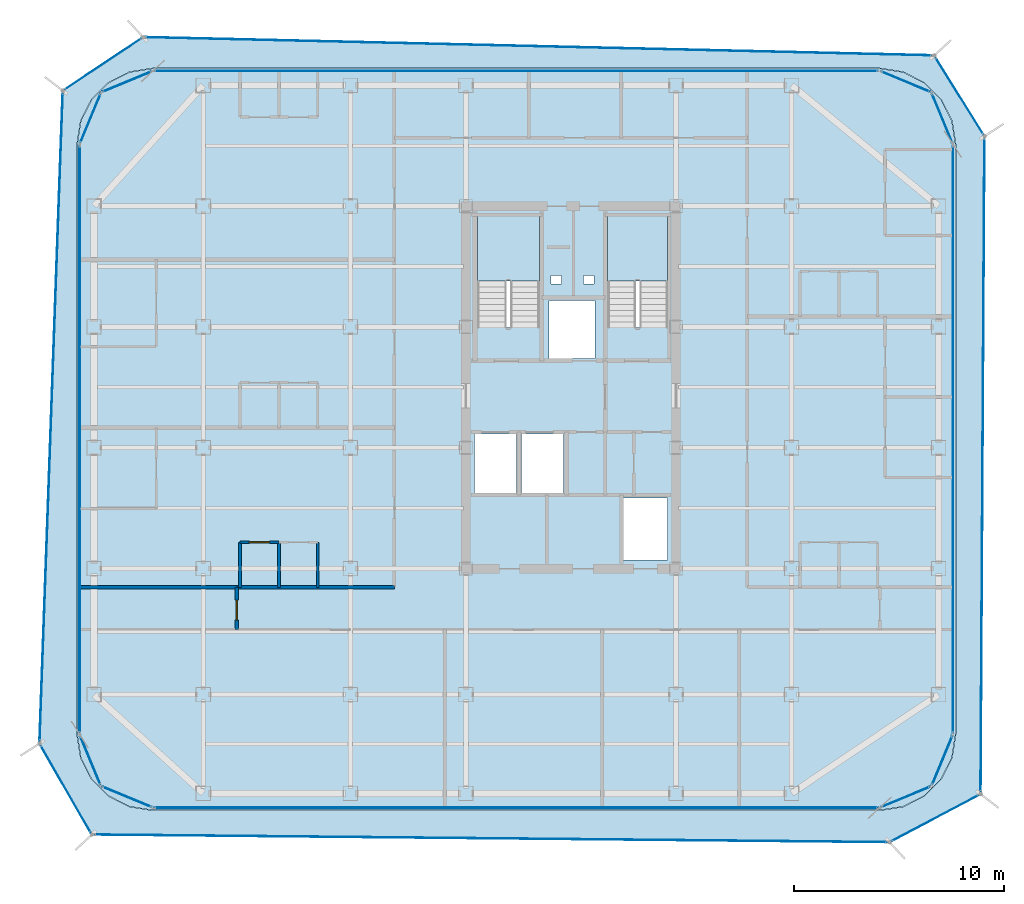
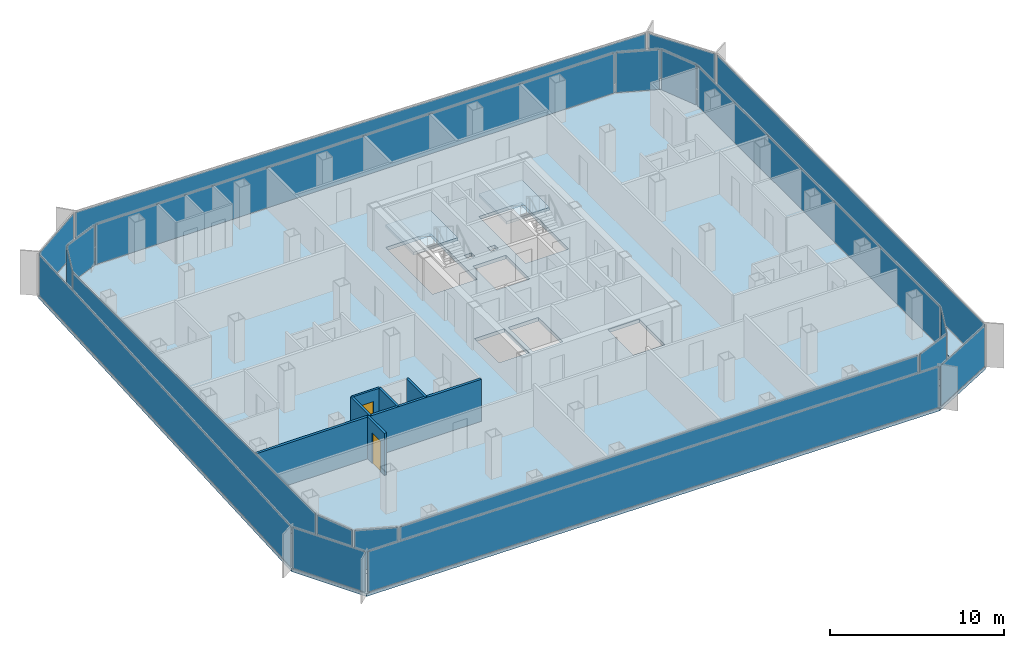
# One storey, part 9 of 15: 20 plates, 7 walls, 4 slabs, 2 doors, 2 openings, 22 elements without a shape of their own.
"""IFC4 building model written with IfcOpenShell, lengths in metres."""

from ifc_helpers import new_model, si_unit, direction, frame, frame_2d, origin, origin_2d, place, context, subcontext, project, spatial, polyline, rectangle, outline, extrude, source, transform, mapped, material, layer, layer_set, type_object, element, fill, aggregate, save


model = new_model("IFC4")

# Units and contexts
model_context = context("Model", 3, precision=1e-05, world=origin(), true_north=direction((0.0, 1.0)))
body_context = subcontext(model_context, "Body", "Model", "MODEL_VIEW")
ifc_project = project(units=[si_unit("LENGTHUNIT", "METRE"), si_unit("AREAUNIT", "SQUARE_METRE"), si_unit("VOLUMEUNIT", "CUBIC_METRE"), si_unit("PLANEANGLEUNIT", "RADIAN"), si_unit("MASSUNIT", "GRAM", prefix="KILO")], contexts=[model_context])

# Site, building, storey
site_placement = place(None, origin())
site = spatial("IfcSite", under=ifc_project, at=site_placement, CompositionType="ELEMENT")
building_placement = place(site_placement, origin())
building = spatial("IfcBuilding", under=site, at=building_placement, Name="Kolveth Station Tower", CompositionType="ELEMENT")
storey_placement = place(building_placement, frame((0.0, 0.0, 196.39990234375)))
storey = spatial("IfcBuildingStorey", under=building, at=storey_placement, Name="L55", CompositionType="ELEMENT", Elevation=196.39990234375)

# Slab
ifc_material_1 = material(Name="Concrete C40/50", Category="concrete")
ifc_layer_1 = layer(ifc_material_1, 0.25)
ifc_layer_set_1 = layer_set([ifc_layer_1], Name="Concrete C40/50")
slab_type_1 = type_object("IfcSlabType", Name="Slab_SF-250", PredefinedType="FLOOR", material=ifc_layer_set_1)
slab_1_placement = place(storey_placement, frame((0.0, 0.0, -0.25)))
element("IfcSlab", 1, at=slab_1_placement, inside=storey, type_object=slab_type_1, Name="L55 Tower Structural Floor Slab", PredefinedType="FLOOR", context=body_context, shape_type="SweptSolid", body=[
    extrude(outline(polyline([(38.199951171875, 0.0), (39.3125, 0.17626953125), (40.31591796875, 0.6875), (41.112548828125, 1.48388671875), (41.623779296875, 2.487548828125), (41.800048828125, 3.60009765625), (41.800048828125, 31.699951171875), (41.623779296875, 32.8125), (41.112548828125, 33.81591796875), (40.31591796875, 34.612548828125), (39.3125, 35.123779296875), (38.199951171875, 35.300048828125), (3.60009765625, 35.300048828125), (2.487548828125, 35.123779296875), (1.48388671875, 34.612548828125), (0.6875, 33.81591796875), (0.17626953125, 32.8125), (0.0, 31.699951171875), (0.0, 3.60009765625), (0.17626953125, 2.487548828125), (0.6875, 1.48388671875), (1.48388671875, 0.6875), (2.487548828125, 0.17626953125), (3.60009765625, 0.0), (38.199951171875, 0.0)]), holes=[polyline([(19.0400390625, 22.985107421875), (22.0, 22.985107421875), (22.0, 28.39990234375), (19.0400390625, 28.39990234375), (19.0400390625, 22.985107421875)]), polyline([(25.239990234375, 22.985107421875), (28.10009765625, 22.985107421875), (28.10009765625, 28.39990234375), (25.239990234375, 28.39990234375), (25.239990234375, 22.985107421875)]), polyline([(18.89990234375, 15.10009765625), (20.89990234375, 15.10009765625), (20.89990234375, 17.89990234375), (18.89990234375, 17.89990234375), (18.89990234375, 15.10009765625)]), polyline([(21.14990234375, 15.10009765625), (23.14990234375, 15.10009765625), (23.14990234375, 17.89990234375), (21.14990234375, 17.89990234375), (21.14990234375, 15.10009765625)]), polyline([(22.449951171875, 21.5), (24.64990234375, 21.5), (24.64990234375, 24.25), (22.449951171875, 24.25), (22.449951171875, 21.5)]), polyline([(26.0, 11.89990234375), (28.10009765625, 11.89990234375), (28.10009765625, 14.85009765625), (26.0, 14.85009765625), (26.0, 11.89990234375)]), polyline([(22.550048828125, 25.050048828125), (23.050048828125, 25.050048828125), (23.050048828125, 25.449951171875), (22.550048828125, 25.449951171875), (22.550048828125, 25.050048828125)]), polyline([(24.10009765625, 25.050048828125), (24.60009765625, 25.050048828125), (24.60009765625, 25.449951171875), (24.10009765625, 25.449951171875), (24.10009765625, 25.050048828125)])]), origin(), (0.0, 0.0, 1.0), 0.25),
])

# Stair, slab
stair_type_1 = type_object("IfcStairType", Name="Stair_ST2", PredefinedType="HALF_TURN_STAIR", material=ifc_material_1)
stair_1_placement = place(storey_placement, origin())
stair_1 = element("IfcStair", 2, at=stair_1_placement, inside=storey, type_object=stair_type_1, Name="L55 Tower Exit Stair ST2", PredefinedType="HALF_TURN_STAIR")
ifc_layer_2 = layer(ifc_material_1, 0.18994140625)
ifc_layer_set_2 = layer_set([ifc_layer_2], Name="Concrete C40/50")
slab_type_2 = type_object("IfcSlabType", Name="Slab_SL-190", PredefinedType="LANDING", material=ifc_layer_set_2)
slab_2_placement = place(storey_placement, frame((0.0, 0.0, 1.400146484375)))
slab_2 = element("IfcSlab", 3, at=slab_2_placement, type_object=slab_type_2, Name="ST2 landing 1", PredefinedType="LANDING", context=body_context, shape_type="SweptSolid", body=[
    extrude(outline(polyline([(28.10009765625, 25.18994140625), (28.10009765625, 28.39990234375), (25.239990234375, 28.39990234375), (25.239990234375, 25.18994140625), (28.10009765625, 25.18994140625)])), origin(), (0.0, 0.0, 1.0), 0.199951171875),
])
aggregate(stair_1, [slab_2])

stair_type_2 = type_object("IfcStairType", Name="Stair_ST1", PredefinedType="HALF_TURN_STAIR", material=ifc_material_1)
stair_2_placement = place(storey_placement, origin())
stair_2 = element("IfcStair", 4, at=stair_2_placement, inside=storey, type_object=stair_type_2, Name="L55 Tower Exit Stair ST1", PredefinedType="HALF_TURN_STAIR")
ifc_layer_3 = layer(ifc_material_1, 0.205078125)
ifc_layer_set_3 = layer_set([ifc_layer_3], Name="Concrete C40/50")
slab_type_3 = type_object("IfcSlabType", Name="Slab_SL-205", PredefinedType="LANDING", material=ifc_layer_set_3)
slab_3_placement = place(storey_placement, frame((0.0, 0.0, 1.400146484375)))
slab_3 = element("IfcSlab", 5, at=slab_3_placement, type_object=slab_type_3, Name="ST1 landing 1", PredefinedType="LANDING", context=body_context, shape_type="SweptSolid", body=[
    extrude(outline(polyline([(22.0, 25.18994140625), (22.0, 28.39990234375), (19.0400390625, 28.39990234375), (19.0400390625, 25.18994140625), (22.0, 25.18994140625)])), origin(), (0.0, 0.0, 1.0), 0.199951171875),
])
aggregate(stair_2, [slab_3])

# Slab
ifc_layer_4 = layer(ifc_material_1, 0.2099609375)
ifc_layer_set_4 = layer_set([ifc_layer_4], Name="Concrete C40/50")
slab_type_4 = type_object("IfcSlabType", Name="Slab_ST-210", PredefinedType="FLOOR", material=ifc_layer_set_4)
slab_4_placement = place(storey_placement, frame((0.0, 0.0, -0.2099609375)))
element("IfcSlab", 6, at=slab_4_placement, inside=storey, type_object=slab_type_4, Name="L55 Double-Skin Cavity Structural Ledger Ring", PredefinedType="FLOOR", context=body_context, shape_type="SweptSolid", body=[
    extrude(outline(polyline([(0.697998046875, -1.162841796875), (-1.79248046875, 3.172119140625), (-0.683349609375, 34.2412109375), (3.14111328125, 36.79052734375), (40.792236328125, 35.92041015625), (43.18359375, 32.076904296875), (42.998779296875, 0.7626953125), (38.663330078125, -1.526123046875), (0.697998046875, -1.162841796875)]), holes=[polyline([(38.202392578125, -0.014892578125), (39.314697265625, 0.161376953125), (39.3193359375, 0.162841796875), (40.32275390625, 0.674072265625), (40.32666015625, 0.677001953125), (41.123046875, 1.473388671875), (41.1259765625, 1.477294921875), (41.63720703125, 2.480712890625), (41.638671875, 2.485107421875), (41.814697265625, 3.59765625), (41.81494140625, 3.60009765625), (41.81494140625, 31.699951171875), (41.814697265625, 31.702392578125), (41.638671875, 32.814697265625), (41.63720703125, 32.8193359375), (41.1259765625, 33.82275390625), (41.123046875, 33.82666015625), (40.32666015625, 34.623046875), (40.32275390625, 34.6259765625), (39.3193359375, 35.13720703125), (39.314697265625, 35.138671875), (38.202392578125, 35.314697265625), (38.199951171875, 35.31494140625), (3.60009765625, 35.31494140625), (3.59765625, 35.314697265625), (2.485107421875, 35.138671875), (2.480712890625, 35.13720703125), (1.477294921875, 34.6259765625), (1.473388671875, 34.623046875), (0.677001953125, 33.82666015625), (0.674072265625, 33.82275390625), (0.162841796875, 32.8193359375), (0.161376953125, 32.814697265625), (-0.014892578125, 31.702392578125), (-0.014892578125, 31.699951171875), (-0.014892578125, 3.60009765625), (-0.014892578125, 3.59765625), (0.161376953125, 2.485107421875), (0.162841796875, 2.480712890625), (0.674072265625, 1.477294921875), (0.677001953125, 1.473388671875), (1.473388671875, 0.677001953125), (1.477294921875, 0.674072265625), (2.480712890625, 0.162841796875), (2.485107421875, 0.161376953125), (3.59765625, -0.014892578125), (3.60009765625, -0.014892578125), (38.199951171875, -0.014892578125), (38.202392578125, -0.014892578125)])]), origin(), (0.0, 0.0, 1.0), 0.2099609375),
])

# Curtain wall, plate
ifc_material_2 = material(Name="Aluminium 6063-T6 and low-E dark glass", Category="aluminium")
ifc_layer_5 = layer(ifc_material_2, 0.18994140625)
ifc_layer_set_5 = layer_set([ifc_layer_5], Name="Aluminium 6063-T6 and low-E dark glass")
curtain_wall_type_1 = type_object("IfcCurtainWallType", Name="CurtainWall_CW-Z2", PredefinedType="NOTDEFINED", material=ifc_layer_set_5)
curtain_wall_1_placement = place(storey_placement, origin())
curtain_wall_1 = element("IfcCurtainWall", 7, at=curtain_wall_1_placement, inside=storey, type_object=curtain_wall_type_1, Name="L55 Inner Thermal Curtain Wall 1", PredefinedType="NOTDEFINED")
ifc_material_3 = material(Name="Architectural low-E dark glass", Category="glass")
ifc_layer_6 = layer(ifc_material_3, 0.0380859375)
ifc_layer_set_6 = layer_set([ifc_layer_6], Name="Architectural low-E dark glass")
plate_type_1 = type_object("IfcPlateType", Name="Panel_GL2", PredefinedType="CURTAIN_PANEL", material=ifc_layer_set_6)
shared_shape_1 = source(origin(), body_context, "Body", "SweptSolid", [
    extrude(rectangle(XDim=2.517578125, YDim=0.0380859375, at=origin_2d()), origin(), (0.0, 0.0, 1.0), 2.803955078125),
])
plate_1_placement = place(storey_placement, frame((39.430419921875, 0.629638671875, 0.0732421875), z_axis=(0.0, 0.0, 1.0), x_axis=(0.923873600544, 0.382697753087, 0.0)))
plate_1 = element("IfcPlate", 8, at=plate_1_placement, type_object=plate_type_1, Name="CW-Z2 panel 1.1", PredefinedType="CURTAIN_PANEL", context=body_context, shape_type="MappedRepresentation", body=[
    mapped(shared_shape_1, transform((0.0, 0.0, 0.0), x_axis=(1.0, 0.0, 0.0), y_axis=(0.0, 1.0, 0.0), z_axis=(0.0, 0.0, 1.0), scale=1.0)),
])
aggregate(curtain_wall_1, [plate_1])

curtain_wall_2_placement = place(storey_placement, origin())
curtain_wall_2 = element("IfcCurtainWall", 9, at=curtain_wall_2_placement, inside=storey, type_object=curtain_wall_type_1, Name="L55 Inner Thermal Curtain Wall 2", PredefinedType="NOTDEFINED")
plate_2_placement = place(storey_placement, frame((41.17041015625, 2.36962890625, 0.0732421875), z_axis=(0.0, 0.0, 1.0), x_axis=(0.382697753087, 0.923873600544, 0.0)))
plate_2 = element("IfcPlate", 10, at=plate_2_placement, type_object=plate_type_1, Name="CW-Z2 panel 1.1", PredefinedType="CURTAIN_PANEL", context=body_context, shape_type="MappedRepresentation", body=[
    mapped(shared_shape_1, transform((0.0, 0.0, 0.0), x_axis=(1.0, 0.0, 0.0), y_axis=(0.0, 1.0, 0.0), z_axis=(0.0, 0.0, 1.0), scale=1.0)),
])
aggregate(curtain_wall_2, [plate_2])

curtain_wall_3_placement = place(storey_placement, origin())
curtain_wall_3 = element("IfcCurtainWall", 11, at=curtain_wall_3_placement, inside=storey, type_object=curtain_wall_type_1, Name="L55 Inner Thermal Curtain Wall 4", PredefinedType="NOTDEFINED")
plate_3_placement = place(storey_placement, frame((41.17041015625, 32.930419921875, 0.0732421875), z_axis=(0.0, 0.0, 1.0), x_axis=(-0.382697753087, 0.923873600544, 0.0)))
plate_3 = element("IfcPlate", 12, at=plate_3_placement, type_object=plate_type_1, Name="CW-Z2 panel 1.1", PredefinedType="CURTAIN_PANEL", context=body_context, shape_type="MappedRepresentation", body=[
    mapped(shared_shape_1, transform((0.0, 0.0, 0.0), x_axis=(1.0, 0.0, 0.0), y_axis=(0.0, 1.0, 0.0), z_axis=(0.0, 0.0, 1.0), scale=1.0)),
])
aggregate(curtain_wall_3, [plate_3])

curtain_wall_4_placement = place(storey_placement, origin())
curtain_wall_4 = element("IfcCurtainWall", 13, at=curtain_wall_4_placement, inside=storey, type_object=curtain_wall_type_1, Name="L55 Inner Thermal Curtain Wall 5", PredefinedType="NOTDEFINED")
plate_4_placement = place(storey_placement, frame((39.430419921875, 34.67041015625, 0.0732421875), z_axis=(0.0, 0.0, 1.0), x_axis=(-0.923873600544, 0.382697753087, 0.0)))
plate_4 = element("IfcPlate", 14, at=plate_4_placement, type_object=plate_type_1, Name="CW-Z2 panel 1.1", PredefinedType="CURTAIN_PANEL", context=body_context, shape_type="MappedRepresentation", body=[
    mapped(shared_shape_1, transform((0.0, 0.0, 0.0), x_axis=(1.0, 0.0, 0.0), y_axis=(0.0, 1.0, 0.0), z_axis=(0.0, 0.0, 1.0), scale=1.0)),
])
aggregate(curtain_wall_4, [plate_4])

curtain_wall_5_placement = place(storey_placement, origin())
curtain_wall_5 = element("IfcCurtainWall", 15, at=curtain_wall_5_placement, inside=storey, type_object=curtain_wall_type_1, Name="L55 Inner Thermal Curtain Wall 7", PredefinedType="NOTDEFINED")
plate_5_placement = place(storey_placement, frame((2.36962890625, 34.67041015625, 0.0732421875), z_axis=(0.0, 0.0, 1.0), x_axis=(-0.923873600544, -0.382697753087, 0.0)))
plate_5 = element("IfcPlate", 16, at=plate_5_placement, type_object=plate_type_1, Name="CW-Z2 panel 1.1", PredefinedType="CURTAIN_PANEL", context=body_context, shape_type="MappedRepresentation", body=[
    mapped(shared_shape_1, transform((0.0, 0.0, 0.0), x_axis=(1.0, 0.0, 0.0), y_axis=(0.0, 1.0, 0.0), z_axis=(0.0, 0.0, 1.0), scale=1.0)),
])
aggregate(curtain_wall_5, [plate_5])

curtain_wall_6_placement = place(storey_placement, origin())
curtain_wall_6 = element("IfcCurtainWall", 17, at=curtain_wall_6_placement, inside=storey, type_object=curtain_wall_type_1, Name="L55 Inner Thermal Curtain Wall 8", PredefinedType="NOTDEFINED")
plate_6_placement = place(storey_placement, frame((0.629638671875, 32.930419921875, 0.0732421875), z_axis=(0.0, 0.0, 1.0), x_axis=(-0.382697753087, -0.923873600544, 0.0)))
plate_6 = element("IfcPlate", 18, at=plate_6_placement, type_object=plate_type_1, Name="CW-Z2 panel 1.1", PredefinedType="CURTAIN_PANEL", context=body_context, shape_type="MappedRepresentation", body=[
    mapped(shared_shape_1, transform((0.0, 0.0, 0.0), x_axis=(1.0, 0.0, 0.0), y_axis=(0.0, 1.0, 0.0), z_axis=(0.0, 0.0, 1.0), scale=1.0)),
])
aggregate(curtain_wall_6, [plate_6])

curtain_wall_7_placement = place(storey_placement, origin())
curtain_wall_7 = element("IfcCurtainWall", 19, at=curtain_wall_7_placement, inside=storey, type_object=curtain_wall_type_1, Name="L55 Inner Thermal Curtain Wall 10", PredefinedType="NOTDEFINED")
plate_7_placement = place(storey_placement, frame((0.629638671875, 2.36962890625, 0.0732421875), z_axis=(0.0, 0.0, 1.0), x_axis=(0.382697753087, -0.923873600544, 0.0)))
plate_7 = element("IfcPlate", 20, at=plate_7_placement, type_object=plate_type_1, Name="CW-Z2 panel 1.1", PredefinedType="CURTAIN_PANEL", context=body_context, shape_type="MappedRepresentation", body=[
    mapped(shared_shape_1, transform((0.0, 0.0, 0.0), x_axis=(1.0, 0.0, 0.0), y_axis=(0.0, 1.0, 0.0), z_axis=(0.0, 0.0, 1.0), scale=1.0)),
])
aggregate(curtain_wall_7, [plate_7])

curtain_wall_8_placement = place(storey_placement, origin())
curtain_wall_8 = element("IfcCurtainWall", 21, at=curtain_wall_8_placement, inside=storey, type_object=curtain_wall_type_1, Name="L55 Inner Thermal Curtain Wall 11", PredefinedType="NOTDEFINED")
plate_8_placement = place(storey_placement, frame((2.36962890625, 0.629638671875, 0.0732421875), z_axis=(0.0, 0.0, 1.0), x_axis=(0.923873600544, -0.382697753087, 0.0)))
plate_8 = element("IfcPlate", 22, at=plate_8_placement, type_object=plate_type_1, Name="CW-Z2 panel 1.1", PredefinedType="CURTAIN_PANEL", context=body_context, shape_type="MappedRepresentation", body=[
    mapped(shared_shape_1, transform((0.0, 0.0, 0.0), x_axis=(1.0, 0.0, 0.0), y_axis=(0.0, 1.0, 0.0), z_axis=(0.0, 0.0, 1.0), scale=1.0)),
])
aggregate(curtain_wall_8, [plate_8])

curtain_wall_9_placement = place(storey_placement, origin())
curtain_wall_9 = element("IfcCurtainWall", 23, at=curtain_wall_9_placement, inside=storey, type_object=curtain_wall_type_1, Name="L55 Inner Thermal Curtain Wall 3", PredefinedType="NOTDEFINED")
shared_shape_2 = source(origin(), body_context, "Body", "SweptSolid", [
    extrude(rectangle(XDim=27.9541015625, YDim=0.0380859375, at=origin_2d()), origin(), (0.0, 0.0, 1.0), 2.803955078125),
])
plate_9_placement = place(storey_placement, frame((41.679931640625, 17.64990234375, 0.0732421875), z_axis=(0.0, 0.0, 1.0), x_axis=(0.0, 1.0, 0.0)))
plate_9 = element("IfcPlate", 24, at=plate_9_placement, type_object=plate_type_1, Name="CW-Z2 panel 1.1", PredefinedType="CURTAIN_PANEL", context=body_context, shape_type="MappedRepresentation", body=[
    mapped(shared_shape_2, transform((0.0, 0.0, 0.0), x_axis=(1.0, 0.0, 0.0), y_axis=(0.0, 1.0, 0.0), z_axis=(0.0, 0.0, 1.0), scale=1.0)),
])
aggregate(curtain_wall_9, [plate_9])

curtain_wall_10_placement = place(storey_placement, origin())
curtain_wall_10 = element("IfcCurtainWall", 25, at=curtain_wall_10_placement, inside=storey, type_object=curtain_wall_type_1, Name="L55 Inner Thermal Curtain Wall 9", PredefinedType="NOTDEFINED")
plate_10_placement = place(storey_placement, frame((0.1201171875, 17.64990234375, 0.0732421875), z_axis=(0.0, 0.0, 1.0), x_axis=(0.0, -1.0, 0.0)))
plate_10 = element("IfcPlate", 26, at=plate_10_placement, type_object=plate_type_1, Name="CW-Z2 panel 1.1", PredefinedType="CURTAIN_PANEL", context=body_context, shape_type="MappedRepresentation", body=[
    mapped(shared_shape_2, transform((0.0, 0.0, 0.0), x_axis=(1.0, 0.0, 0.0), y_axis=(0.0, 1.0, 0.0), z_axis=(0.0, 0.0, 1.0), scale=1.0)),
])
aggregate(curtain_wall_10, [plate_10])

curtain_wall_11_placement = place(storey_placement, origin())
curtain_wall_11 = element("IfcCurtainWall", 27, at=curtain_wall_11_placement, inside=storey, type_object=curtain_wall_type_1, Name="L55 Inner Thermal Curtain Wall 6", PredefinedType="NOTDEFINED")
shared_shape_3 = source(origin(), body_context, "Body", "SweptSolid", [
    extrude(rectangle(XDim=34.4541015625, YDim=0.0380859375, at=origin_2d()), origin(), (0.0, 0.0, 1.0), 2.803955078125),
])
plate_11_placement = place(storey_placement, frame((20.89990234375, 35.179931640625, 0.0732421875), z_axis=(0.0, 0.0, 1.0), x_axis=(-1.0, 0.0, 0.0)))
plate_11 = element("IfcPlate", 28, at=plate_11_placement, type_object=plate_type_1, Name="CW-Z2 panel 1.1", PredefinedType="CURTAIN_PANEL", context=body_context, shape_type="MappedRepresentation", body=[
    mapped(shared_shape_3, transform((0.0, 0.0, 0.0), x_axis=(1.0, 0.0, 0.0), y_axis=(0.0, 1.0, 0.0), z_axis=(0.0, 0.0, 1.0), scale=1.0)),
])
aggregate(curtain_wall_11, [plate_11])

curtain_wall_12_placement = place(storey_placement, origin())
curtain_wall_12 = element("IfcCurtainWall", 29, at=curtain_wall_12_placement, inside=storey, type_object=curtain_wall_type_1, Name="L55 Inner Thermal Curtain Wall 12", PredefinedType="NOTDEFINED")
plate_12_placement = place(storey_placement, frame((20.89990234375, 0.1201171875, 0.0732421875), z_axis=(0.0, 0.0, 1.0), x_axis=(1.0, 0.0, 0.0)))
plate_12 = element("IfcPlate", 30, at=plate_12_placement, type_object=plate_type_1, Name="CW-Z2 panel 1.1", PredefinedType="CURTAIN_PANEL", context=body_context, shape_type="MappedRepresentation", body=[
    mapped(shared_shape_3, transform((0.0, 0.0, 0.0), x_axis=(1.0, 0.0, 0.0), y_axis=(0.0, 1.0, 0.0), z_axis=(0.0, 0.0, 1.0), scale=1.0)),
])
aggregate(curtain_wall_12, [plate_12])

ifc_material_4 = material(Name="Black anodized aluminium 6063-T6 and dark solar glass", Category="aluminium")
ifc_layer_7 = layer(ifc_material_4, 0.159912109375)
ifc_layer_set_7 = layer_set([ifc_layer_7], Name="Black anodized aluminium 6063-T6 and dark solar glass")
curtain_wall_type_2 = type_object("IfcCurtainWallType", Name="OUTER SKIN CW-OS", PredefinedType="NOTDEFINED", material=ifc_layer_set_7)
curtain_wall_13_placement = place(storey_placement, origin())
curtain_wall_13 = element("IfcCurtainWall", 31, at=curtain_wall_13_placement, inside=storey, type_object=curtain_wall_type_2, Name="L55 Outer Ventilated Skin Curtain Wall 1", PredefinedType="NOTDEFINED")
ifc_layer_8 = layer(ifc_material_3, 0.028076171875)
ifc_layer_set_8 = layer_set([ifc_layer_8], Name="Architectural low-E dark glass")
plate_type_2 = type_object("IfcPlateType", Name="Panel_GL-OS", PredefinedType="CURTAIN_PANEL", material=ifc_layer_set_8)
shared_shape_4 = source(origin(), body_context, "Body", "SweptSolid", [
    extrude(rectangle(XDim=4.73681640625, YDim=0.028076171875, at=origin_2d()), origin(), (0.0, 0.0, 1.0), 2.843994140625),
])
plate_13_placement = place(storey_placement, frame((40.8310546875, -0.3818359375, 0.0732421875), z_axis=(0.0, 0.0, 1.0), x_axis=(0.88433703598, 0.466849019271, 0.0)))
plate_13 = element("IfcPlate", 32, at=plate_13_placement, type_object=plate_type_2, Name="CW-OS panel 1.1", PredefinedType="CURTAIN_PANEL", context=body_context, shape_type="MappedRepresentation", body=[
    mapped(shared_shape_4, transform((0.0, 0.0, 0.0), x_axis=(1.0, 0.0, 0.0), y_axis=(0.0, 1.0, 0.0), z_axis=(0.0, 0.0, 1.0), scale=1.0)),
])
aggregate(curtain_wall_13, [plate_13])

curtain_wall_14_placement = place(storey_placement, origin())
curtain_wall_14 = element("IfcCurtainWall", 33, at=curtain_wall_14_placement, inside=storey, type_object=curtain_wall_type_2, Name="L55 Outer Ventilated Skin Curtain Wall 2", PredefinedType="NOTDEFINED")
shared_shape_5 = source(origin(), body_context, "Body", "SweptSolid", [
    extrude(rectangle(XDim=31.14892578125, YDim=0.028076171875, at=origin_2d()), origin(), (0.0, 0.0, 1.0), 2.843994140625),
])
plate_14_placement = place(storey_placement, frame((43.09130859375, 16.419921875, 0.0732421875), z_axis=(0.0, 0.0, 1.0), x_axis=(0.005901335548, 0.999982586968, 0.0)))
plate_14 = element("IfcPlate", 34, at=plate_14_placement, type_object=plate_type_2, Name="CW-OS panel 1.1", PredefinedType="CURTAIN_PANEL", context=body_context, shape_type="MappedRepresentation", body=[
    mapped(shared_shape_5, transform((0.0, 0.0, 0.0), x_axis=(1.0, 0.0, 0.0), y_axis=(0.0, 1.0, 0.0), z_axis=(0.0, 0.0, 1.0), scale=1.0)),
])
aggregate(curtain_wall_14, [plate_14])

curtain_wall_15_placement = place(storey_placement, origin())
curtain_wall_15 = element("IfcCurtainWall", 35, at=curtain_wall_15_placement, inside=storey, type_object=curtain_wall_type_2, Name="L55 Outer Ventilated Skin Curtain Wall 3", PredefinedType="NOTDEFINED")
shared_shape_6 = source(origin(), body_context, "Body", "SweptSolid", [
    extrude(rectangle(XDim=4.360595703125, YDim=0.028076171875, at=origin_2d()), origin(), (0.0, 0.0, 1.0), 2.843994140625),
])
plate_15_placement = place(storey_placement, frame((41.988037109375, 33.998779296875, 0.0732421875), z_axis=(0.0, 0.0, 1.0), x_axis=(-0.528294100898, 0.84906144828, 0.0)))
plate_15 = element("IfcPlate", 36, at=plate_15_placement, type_object=plate_type_2, Name="CW-OS panel 1.1", PredefinedType="CURTAIN_PANEL", context=body_context, shape_type="MappedRepresentation", body=[
    mapped(shared_shape_6, transform((0.0, 0.0, 0.0), x_axis=(1.0, 0.0, 0.0), y_axis=(0.0, 1.0, 0.0), z_axis=(0.0, 0.0, 1.0), scale=1.0)),
])
aggregate(curtain_wall_15, [plate_15])

curtain_wall_16_placement = place(storey_placement, origin())
curtain_wall_16 = element("IfcCurtainWall", 37, at=curtain_wall_16_placement, inside=storey, type_object=curtain_wall_type_2, Name="L55 Outer Ventilated Skin Curtain Wall 4", PredefinedType="NOTDEFINED")
shared_shape_7 = source(origin(), body_context, "Body", "SweptSolid", [
    extrude(rectangle(XDim=37.495361328125, YDim=0.028076171875, at=origin_2d()), origin(), (0.0, 0.0, 1.0), 2.843994140625),
])
plate_16_placement = place(storey_placement, frame((21.966796875, 36.35546875, 0.0732421875), z_axis=(0.0, 0.0, 1.0), x_axis=(-0.999733021327, 0.02310597472, 0.0)))
plate_16 = element("IfcPlate", 38, at=plate_16_placement, type_object=plate_type_2, Name="CW-OS panel 1.1", PredefinedType="CURTAIN_PANEL", context=body_context, shape_type="MappedRepresentation", body=[
    mapped(shared_shape_7, transform((0.0, 0.0, 0.0), x_axis=(1.0, 0.0, 0.0), y_axis=(0.0, 1.0, 0.0), z_axis=(0.0, 0.0, 1.0), scale=1.0)),
])
aggregate(curtain_wall_16, [plate_16])

curtain_wall_17_placement = place(storey_placement, origin())
curtain_wall_17 = element("IfcCurtainWall", 39, at=curtain_wall_17_placement, inside=storey, type_object=curtain_wall_type_2, Name="L55 Outer Ventilated Skin Curtain Wall 5", PredefinedType="NOTDEFINED")
shared_shape_8 = source(origin(), body_context, "Body", "SweptSolid", [
    extrude(rectangle(XDim=4.430419921875, YDim=0.028076171875, at=origin_2d()), origin(), (0.0, 0.0, 1.0), 2.843994140625),
])
plate_17_placement = place(storey_placement, frame((1.228759765625, 35.515869140625, 0.0732421875), z_axis=(0.0, 0.0, 1.0), x_axis=(-0.832087111627, -0.55464496632, 0.0)))
plate_17 = element("IfcPlate", 40, at=plate_17_placement, type_object=plate_type_2, Name="CW-OS panel 1.1", PredefinedType="CURTAIN_PANEL", context=body_context, shape_type="MappedRepresentation", body=[
    mapped(shared_shape_8, transform((0.0, 0.0, 0.0), x_axis=(1.0, 0.0, 0.0), y_axis=(0.0, 1.0, 0.0), z_axis=(0.0, 0.0, 1.0), scale=1.0)),
])
aggregate(curtain_wall_17, [plate_17])

curtain_wall_18_placement = place(storey_placement, origin())
curtain_wall_18 = element("IfcCurtainWall", 41, at=curtain_wall_18_placement, inside=storey, type_object=curtain_wall_type_2, Name="L55 Outer Ventilated Skin Curtain Wall 6", PredefinedType="NOTDEFINED")
shared_shape_9 = source(origin(), body_context, "Body", "SweptSolid", [
    extrude(rectangle(XDim=30.923095703125, YDim=0.028076171875, at=origin_2d()), origin(), (0.0, 0.0, 1.0), 2.843994140625),
])
plate_18_placement = place(storey_placement, frame((-1.238037109375, 18.70654296875, 0.0732421875), z_axis=(0.0, 0.0, 1.0), x_axis=(-0.035678106998, -0.999363333669, 0.0)))
plate_18 = element("IfcPlate", 42, at=plate_18_placement, type_object=plate_type_2, Name="CW-OS panel 1.1", PredefinedType="CURTAIN_PANEL", context=body_context, shape_type="MappedRepresentation", body=[
    mapped(shared_shape_9, transform((0.0, 0.0, 0.0), x_axis=(1.0, 0.0, 0.0), y_axis=(0.0, 1.0, 0.0), z_axis=(0.0, 0.0, 1.0), scale=1.0)),
])
aggregate(curtain_wall_18, [plate_18])

curtain_wall_19_placement = place(storey_placement, origin())
curtain_wall_19 = element("IfcCurtainWall", 43, at=curtain_wall_19_placement, inside=storey, type_object=curtain_wall_type_2, Name="L55 Outer Ventilated Skin Curtain Wall 7", PredefinedType="NOTDEFINED")
shared_shape_10 = source(origin(), body_context, "Body", "SweptSolid", [
    extrude(rectangle(XDim=4.83349609375, YDim=0.028076171875, at=origin_2d()), origin(), (0.0, 0.0, 1.0), 2.843994140625),
])
plate_19_placement = place(storey_placement, frame((-0.54736328125, 1.004638671875, 0.0732421875), z_axis=(0.0, 0.0, 1.0), x_axis=(0.498160298383, -0.867084953805, 0.0)))
plate_19 = element("IfcPlate", 44, at=plate_19_placement, type_object=plate_type_2, Name="CW-OS panel 1.1", PredefinedType="CURTAIN_PANEL", context=body_context, shape_type="MappedRepresentation", body=[
    mapped(shared_shape_10, transform((0.0, 0.0, 0.0), x_axis=(1.0, 0.0, 0.0), y_axis=(0.0, 1.0, 0.0), z_axis=(0.0, 0.0, 1.0), scale=1.0)),
])
aggregate(curtain_wall_19, [plate_19])

curtain_wall_20_placement = place(storey_placement, origin())
curtain_wall_20 = element("IfcCurtainWall", 45, at=curtain_wall_20_placement, inside=storey, type_object=curtain_wall_type_2, Name="L55 Outer Ventilated Skin Curtain Wall 8", PredefinedType="NOTDEFINED")
shared_shape_11 = source(origin(), body_context, "Body", "SweptSolid", [
    extrude(rectangle(XDim=37.801025390625, YDim=0.028076171875, at=origin_2d()), origin(), (0.0, 0.0, 1.0), 2.843994140625),
])
plate_20_placement = place(storey_placement, frame((19.6806640625, -1.344482421875, 0.0732421875), z_axis=(0.0, 0.0, 1.0), x_axis=(0.999954217973, -0.009568801259, 0.0)))
plate_20 = element("IfcPlate", 46, at=plate_20_placement, type_object=plate_type_2, Name="CW-OS panel 1.1", PredefinedType="CURTAIN_PANEL", context=body_context, shape_type="MappedRepresentation", body=[
    mapped(shared_shape_11, transform((0.0, 0.0, 0.0), x_axis=(1.0, 0.0, 0.0), y_axis=(0.0, 1.0, 0.0), z_axis=(0.0, 0.0, 1.0), scale=1.0)),
])
aggregate(curtain_wall_20, [plate_20])

# Wall, opening, door
ifc_material_5 = material(Name="Moisture-resistant gypsum partition")
ifc_layer_9 = layer(ifc_material_5, 0.135009765625)
ifc_layer_set_9 = layer_set([ifc_layer_9], Name="Moisture-resistant gypsum partition")
wall_type_1 = type_object("IfcWallType", Name="Wall_IW-135", PredefinedType="PARTITIONING", material=ifc_layer_set_9)
wall_1_placement = place(storey_placement, frame((7.75, 12.75, 0.0), z_axis=(0.0, 0.0, 1.0), x_axis=(1.0, 0.0, 0.0)))
wall_1 = element("IfcWall", 47, at=wall_1_placement, inside=storey, type_object=wall_type_1, Name="L55 Partition Wall WL-L55-W1-IBHK", PredefinedType="PARTITIONING", context=body_context, shape_type="SweptSolid", body=[
    extrude(rectangle(XDim=1.85009765625, YDim=0.135009765625, at=frame_2d((0.925048828125, 0.0))), origin(), (0.0, 0.0, 1.0), 2.9501953125),
])
opening_1_placement = place(wall_1_placement, frame((0.445068359375, 0.0, 0.0)))
opening_1 = element("IfcOpeningElement", 48, at=opening_1_placement, cuts=wall_1, Name="Opening ID1", PredefinedType="OPENING", context=body_context, shape_type="SweptSolid", body=[
    extrude(rectangle(XDim=0.949951171875, YDim=2.14990234375, at=frame_2d((0.47509765625, 1.074951171875))), frame((0.0, 0.077392578125, 0.0), z_axis=(0.0, -1.0, 0.0), x_axis=(1.0, 0.0, 0.0)), (0.0, 0.0, 1.0), 0.155029296875),
])
ifc_material_6 = material(Name="Acoustic hardwood leaf and aluminium frame", Category="wood")
door_type = type_object("IfcDoorType", Name="Door_ID1", OperationType="NOTDEFINED", PredefinedType="DOOR", material=ifc_material_6)
door_1_placement = place(opening_1_placement, origin())
door_1 = element("IfcDoor", 49, at=door_1_placement, inside=storey, type_object=door_type, Name="Penthouse Flat L55-W1 Kitchen Door", OperationType="SINGLE_SWING_LEFT", OverallHeight=2.14990234375, OverallWidth=0.949951171875, PredefinedType="DOOR", context=body_context, shape_type="SweptSolid", body=[
    extrude(rectangle(XDim=0.949951171875, YDim=2.14990234375, at=frame_2d((0.47509765625, 1.074951171875))), frame((0.0, 0.02490234375, 0.0), z_axis=(0.0, -1.0, 0.0), x_axis=(1.0, 0.0, 0.0)), (0.0, 0.0, 1.0), 0.050048828125),
])
fill(opening_1, door_1)

# Walls
for number, where, z_axis, x_axis, name in (
    (50, (7.75, 10.60009765625, 0.0), (0.0, 0.0, 1.0), (0.0, 1.0, 0.0), "L55 Partition Wall WL-L55-W1-IBV0"),
    (51, (9.60009765625, 10.60009765625, 0.0), (0.0, 0.0, 1.0), (0.0, 1.0, 0.0), "L55 Partition Wall WL-L55-W1-IBV1"),
    (52, (11.449951171875, 10.60009765625, 0.0), (0.0, 0.0, 1.0), (0.0, 1.0, 0.0), "L55 Partition Wall WL-L55-W1-IBV2"),
):
    element("IfcWall", number, at=place(storey_placement, frame(where, z_axis=z_axis, x_axis=x_axis)), inside=storey, type_object=wall_type_1, Name=name, PredefinedType="PARTITIONING", context=body_context, shape_type="SweptSolid", body=[
        extrude(rectangle(XDim=2.14990234375, YDim=0.135009765625, at=frame_2d((1.074951171875, 0.0))), origin(), (0.0, 0.0, 1.0), 2.9501953125),
    ])
ifc_material_7 = material(Name="Acoustic double-stud gypsum partition")
ifc_layer_10 = layer(ifc_material_7, 0.1650390625)
ifc_layer_set_10 = layer_set([ifc_layer_10], Name="Acoustic double-stud gypsum partition")
wall_type_2 = type_object("IfcWallType", Name="Wall_IW-165", PredefinedType="PARTITIONING", material=ifc_layer_set_10)
wall_2_placement = place(storey_placement, frame((7.60009765625, 10.60009765625, 0.0), z_axis=(0.0, 0.0, 1.0), x_axis=(1.0, 0.0, 0.0)))
element("IfcWall", 53, at=wall_2_placement, inside=storey, type_object=wall_type_2, Name="L55 Partition Wall WL-L55-RSWT", PredefinedType="PARTITIONING", context=body_context, shape_type="SweptSolid", body=[
    extrude(rectangle(XDim=7.5, YDim=0.1650390625, at=frame_2d((3.75, 0.0))), origin(), (0.0, 0.0, 1.0), 2.9501953125),
])

# Wall, opening, door
wall_3_placement = place(storey_placement, frame((7.60009765625, 8.60009765625, 0.0), z_axis=(0.0, 0.0, 1.0), x_axis=(0.0, 1.0, 0.0)))
wall_3 = element("IfcWall", 54, at=wall_3_placement, inside=storey, type_object=wall_type_2, Name="L55 Partition Wall WL-L55-RSWE", PredefinedType="PARTITIONING", context=body_context, shape_type="SweptSolid", body=[
    extrude(rectangle(XDim=2.0, YDim=0.1650390625, at=frame_2d((1.0, 0.0))), origin(), (0.0, 0.0, 1.0), 2.9501953125),
])
opening_2_placement = place(wall_3_placement, frame((0.449951171875, 0.0, 0.0)))
opening_2 = element("IfcOpeningElement", 55, at=opening_2_placement, cuts=wall_3, Name="Opening ID1", PredefinedType="OPENING", context=body_context, shape_type="SweptSolid", body=[
    extrude(rectangle(XDim=0.949951171875, YDim=2.14990234375, at=frame_2d((0.47509765625, 1.074951171875))), frame((0.0, 0.092529296875, 0.0), z_axis=(0.0, -1.0, 0.0), x_axis=(1.0, 0.0, 0.0)), (0.0, 0.0, 1.0), 0.18505859375),
])
door_2_placement = place(opening_2_placement, frame((0.949951171875, 0.0, 0.0), z_axis=(0.0, 0.0, 1.0), x_axis=(-1.0, 0.0, 0.0)))
door_2 = element("IfcDoor", 56, at=door_2_placement, inside=storey, type_object=door_type, Name="L55 West Store Door", OperationType="SINGLE_SWING_LEFT", OverallHeight=2.14990234375, OverallWidth=0.949951171875, PredefinedType="DOOR", context=body_context, shape_type="SweptSolid", body=[
    extrude(rectangle(XDim=0.949951171875, YDim=2.14990234375, at=frame_2d((0.47509765625, 1.074951171875))), frame((0.0, 0.02490234375, 0.0), z_axis=(0.0, -1.0, 0.0), x_axis=(1.0, 0.0, 0.0)), (0.0, 0.0, 1.0), 0.050048828125),
])
fill(opening_2, door_2)

# Wall
wall_4_placement = place(storey_placement, frame((0.159912109375, 10.60009765625, 0.0), z_axis=(0.0, 0.0, 1.0), x_axis=(1.0, 0.0, 0.0)))
element("IfcWall", 57, at=wall_4_placement, inside=storey, type_object=wall_type_2, Name="L55 Partition Wall WL-L55-WSTN", PredefinedType="PARTITIONING", context=body_context, shape_type="SweptSolid", body=[
    extrude(rectangle(XDim=7.440185546875, YDim=0.1650390625, at=frame_2d((3.72021484375, 0.0))), origin(), (0.0, 0.0, 1.0), 2.9501953125),
])

save(model, "model.ifc")
